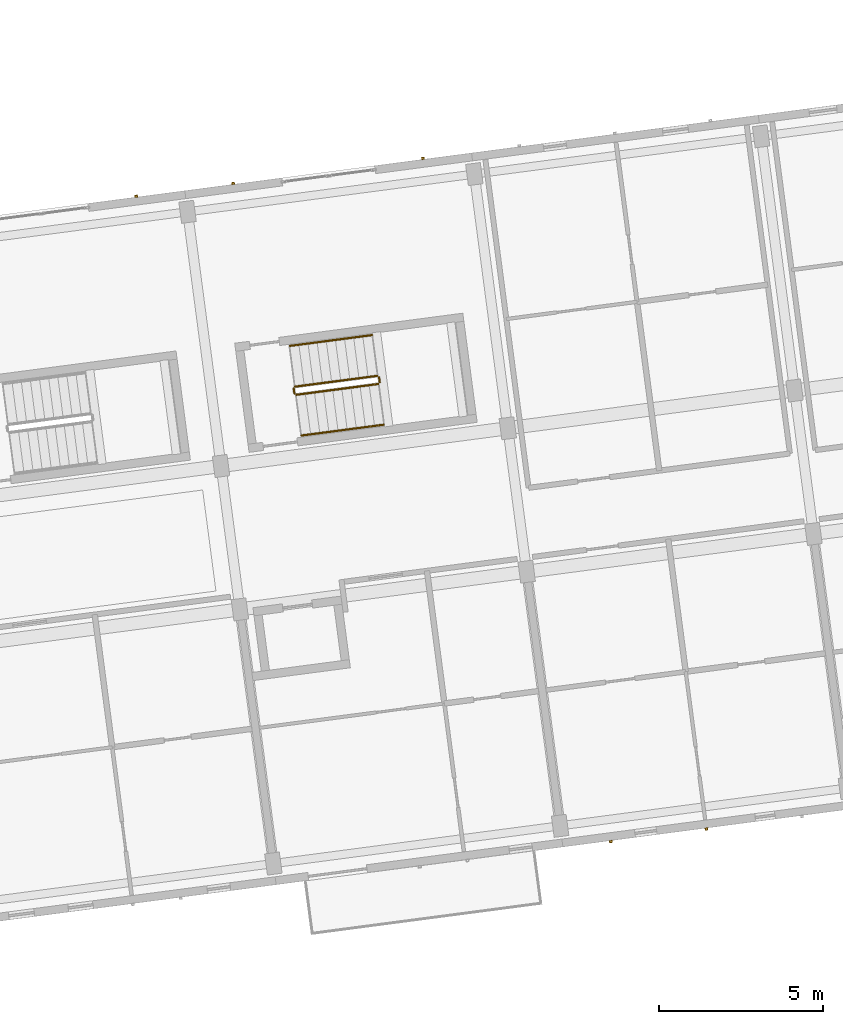
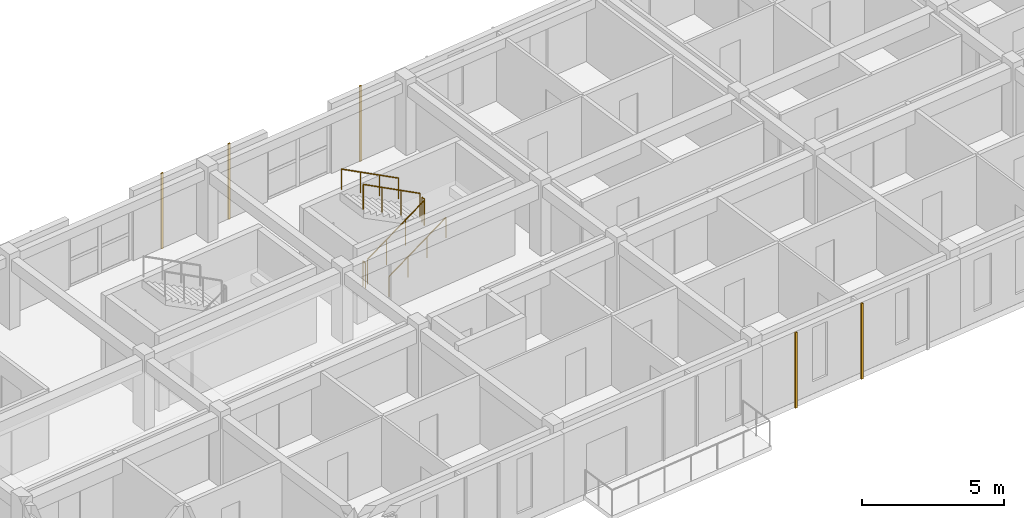
# One storey, part 39 of 56: 6 railings, 5 coverings.
"""IFC4 building model written with IfcOpenShell, lengths in metres."""

from ifc_helpers import new_model, si_unit, direction, frame, origin, origin_2d, place, context, subcontext, project, spatial, rectangle, circle, extrude, material, layer, layer_set, type_object, element, save


model = new_model("IFC4")

# Units and contexts
model_context = context("Model", 3, precision=1e-05, world=origin(), true_north=direction((0.0, 1.0)))
body_context = subcontext(model_context, "Body", "Model", "MODEL_VIEW")
ifc_project = project(units=[si_unit("LENGTHUNIT", "METRE"), si_unit("AREAUNIT", "SQUARE_METRE"), si_unit("VOLUMEUNIT", "CUBIC_METRE"), si_unit("PLANEANGLEUNIT", "RADIAN"), si_unit("MASSUNIT", "GRAM", prefix="KILO")], contexts=[model_context])

# Site, building, storey
site_placement = place(None, origin())
site = spatial("IfcSite", under=ifc_project, at=site_placement, CompositionType="ELEMENT")
building_placement = place(site_placement, origin())
building = spatial("IfcBuilding", under=site, at=building_placement, Name="Kestramere Prow Commons", CompositionType="ELEMENT")
storey_placement = place(building_placement, frame((0.0, 0.0, 27.89990234375)))
storey = spatial("IfcBuildingStorey", under=building, at=storey_placement, Name="L08", CompositionType="ELEMENT", Elevation=27.89990234375)

# Coverings
ifc_material_1 = material(Name="Weathered Zinc-Titanium Standing-Seam Cladding")
ifc_layer = layer(ifc_material_1, 0.074951171875)
ifc_layer_set = layer_set([ifc_layer], Name="Weathered Zinc-Titanium Standing-Seam Cladding")
covering_type = type_object("IfcCoveringType", Name="COV-CLAD-SEAM", PredefinedType="CLADDING", material=ifc_layer_set)
for number, where, z_axis, x_axis, name in (
    (1, (41.824951171875, 75.348388671875, -0.25), (0.0, 0.0, 1.0), (-0.991444861374, -0.13052619222, 0.0), "EW-A-L08-S-3 Standing-Seam Rib 3"),
    (2, (38.916748046875, 74.965576171875, -0.25), (0.0, 0.0, 1.0), (-0.991444861374, -0.13052619222, 0.0), "EW-A-L08-S-3 Standing-Seam Rib 5"),
    (3, (24.4755859375, 94.603759765625, -0.25), (0.0, 0.0, 1.0), (0.991444861374, 0.13052619222, 0.0), "EW-A-L08-NP-1-R Standing-Seam Rib 1"),
    (4, (27.42529296875, 94.991943359375, -0.25), (0.0, 0.0, 1.0), (0.991444861374, 0.13052619222, 0.0), "EW-A-L08-NP-2-L Standing-Seam Rib 1"),
    (5, (33.200439453125, 95.75244140625, -0.25), (0.0, 0.0, 1.0), (0.991444861374, 0.13052619222, 0.0), "EW-A-L08-NP-2-R Standing-Seam Rib 1"),
):
    element("IfcCovering", number, at=place(storey_placement, frame(where, z_axis=z_axis, x_axis=x_axis)), inside=storey, type_object=covering_type, Name=name, PredefinedType="CLADDING", context=body_context, shape_type="SweptSolid", body=[
        extrude(rectangle(XDim=0.0849609375, YDim=0.06494140625, at=origin_2d()), origin(), (0.0, 0.0, 1.0), 3.25),
    ])

# Railings
ifc_material_2 = material(Name="Galvanised Steel S275JR", Category="steel")
railing_type_1 = type_object("IfcRailingType", Name="RL-ST-GR-1100", PredefinedType="GUARDRAIL", material=ifc_material_2)
railing_1_placement = place(storey_placement, frame((29.34375, 88.559814453125, 0.16259765625)))
element("IfcRailing", 6, at=railing_1_placement, inside=storey, type_object=railing_type_1, Name="L08 ST-A2 stair guard 1", PredefinedType="GUARDRAIL", context=body_context, shape_type="SweptSolid", body=[
    extrude(circle(Radius=0.02392578125, at=origin_2d()), frame((0.0, 0.0, 1.076171875), z_axis=(0.857492745196, 0.112958098361, 0.501942885148), x_axis=(-0.130602379397, 0.991434828164, 0.0)), (0.0, 0.0, 1.0), 2.91357421875),
    extrude(circle(Radius=0.02099609375, at=origin_2d()), origin(), (0.0, 0.0, 1.0), 1.052001953125),
    extrude(circle(Radius=0.02099609375, at=origin_2d()), frame((0.832763671875, 0.109619140625, 0.487548828125)), (0.0, 0.0, 1.0), 1.052001953125),
    extrude(circle(Radius=0.02099609375, at=origin_2d()), frame((1.66552734375, 0.219482421875, 0.974853515625)), (0.0, 0.0, 1.0), 1.052001953125),
    extrude(circle(Radius=0.02099609375, at=origin_2d()), frame((2.498291015625, 0.3291015625, 1.46240234375)), (0.0, 0.0, 1.0), 1.052001953125),
])
railing_2_placement = place(storey_placement, frame((31.88525390625, 88.94482421875, 1.625)))
element("IfcRailing", 7, at=railing_2_placement, inside=storey, type_object=railing_type_1, Name="L08 ST-A2 stair guard 2", PredefinedType="GUARDRAIL", context=body_context, shape_type="SweptSolid", body=[
    extrude(circle(Radius=0.02392578125, at=origin_2d()), frame((0.0, 0.0, 1.076171875), z_axis=(-0.1300340368, 0.991509530601, 0.0), x_axis=(-0.991509530601, -0.1300340368, 0.0)), (0.0, 0.0, 1.0), 0.150146484375),
    extrude(circle(Radius=0.02099609375, at=origin_2d()), origin(), (0.0, 0.0, 1.0), 1.052001953125),
    extrude(circle(Radius=0.02099609375, at=origin_2d()), frame((-0.01953125, 0.14892578125, 0.0)), (0.0, 0.0, 1.0), 1.052001953125),
])
railing_3_placement = place(storey_placement, frame((31.8095703125, 89.13671875, 1.78759765625)))
element("IfcRailing", 8, at=railing_3_placement, inside=storey, type_object=railing_type_1, Name="L08 ST-A2 stair guard 3", PredefinedType="GUARDRAIL", context=body_context, shape_type="SweptSolid", body=[
    extrude(circle(Radius=0.02392578125, at=origin_2d()), frame((0.0, 0.0, 1.076171875), z_axis=(-0.85752303711, -0.112867259233, 0.501911568525), x_axis=(0.130494608992, -0.991449018873, 0.0)), (0.0, 0.0, 1.0), 2.91357421875),
    extrude(circle(Radius=0.02099609375, at=origin_2d()), origin(), (0.0, 0.0, 1.0), 1.052001953125),
    extrude(circle(Radius=0.02099609375, at=origin_2d()), frame((-0.832763671875, -0.109619140625, 0.487548828125)), (0.0, 0.0, 1.0), 1.052001953125),
    extrude(circle(Radius=0.02099609375, at=origin_2d()), frame((-1.665771484375, -0.21923828125, 0.974853515625)), (0.0, 0.0, 1.0), 1.052001953125),
    extrude(circle(Radius=0.02099609375, at=origin_2d()), frame((-2.49853515625, -0.328857421875, 1.46240234375)), (0.0, 0.0, 1.0), 1.052001953125),
])
railing_4_placement = place(storey_placement, frame((29.28759765625, 88.60302734375, 0.0)))
element("IfcRailing", 9, at=railing_4_placement, inside=storey, type_object=railing_type_1, Name="L08 ST-A2 stair guard 4", PredefinedType="GUARDRAIL", context=body_context, shape_type="SweptSolid", body=[
    extrude(circle(Radius=0.02392578125, at=origin_2d()), frame((0.0, 0.0, 1.076171875), z_axis=(-0.130243938252, 0.991481979941, 0.0), x_axis=(-0.991481979941, -0.130243938252, 0.0)), (0.0, 0.0, 1.0), 0.14990234375),
    extrude(circle(Radius=0.02099609375, at=origin_2d()), origin(), (0.0, 0.0, 1.0), 1.052001953125),
    extrude(circle(Radius=0.02099609375, at=origin_2d()), frame((-0.01953125, 0.148681640625, 0.0)), (0.0, 0.0, 1.0), 1.052001953125),
])
ifc_material_3 = material(Name="Stainless Steel 304", Category="steel")
railing_type_2 = type_object("IfcRailingType", Name="RL-ST-HR-900", PredefinedType="HANDRAIL", material=ifc_material_3)
railing_5_placement = place(storey_placement, frame((29.5068359375, 87.320556640625, 0.3251953125)))
element("IfcRailing", 10, at=railing_5_placement, inside=storey, type_object=railing_type_2, Name="L08 ST-A2 stair handrail 1", PredefinedType="HANDRAIL", context=body_context, shape_type="SweptSolid", body=[
    extrude(circle(Radius=0.02392578125, at=origin_2d()), frame((0.0, 0.0, 0.8759765625), z_axis=(0.85752303711, 0.112867259233, 0.501911568525), x_axis=(-0.130494608992, 0.991449018873, 0.0)), (0.0, 0.0, 1.0), 2.91357421875),
    extrude(circle(Radius=0.02099609375, at=origin_2d()), origin(), (0.0, 0.0, 1.0), 0.851806640625),
    extrude(circle(Radius=0.02099609375, at=origin_2d()), frame((0.832763671875, 0.109619140625, 0.487548828125)), (0.0, 0.0, 1.0), 0.851806640625),
    extrude(circle(Radius=0.02099609375, at=origin_2d()), frame((1.665771484375, 0.21923828125, 0.974853515625)), (0.0, 0.0, 1.0), 0.851806640625),
    extrude(circle(Radius=0.02099609375, at=origin_2d()), frame((2.49853515625, 0.328857421875, 1.46240234375)), (0.0, 0.0, 1.0), 0.851806640625),
])
railing_6_placement = place(storey_placement, frame((31.646484375, 90.3759765625, 1.9501953125)))
element("IfcRailing", 11, at=railing_6_placement, inside=storey, type_object=railing_type_2, Name="L08 ST-A2 stair handrail 2", PredefinedType="HANDRAIL", context=body_context, shape_type="SweptSolid", body=[
    extrude(circle(Radius=0.02392578125, at=origin_2d()), frame((0.0, 0.0, 0.8759765625), z_axis=(-0.85752303711, -0.112867259233, 0.501911568525), x_axis=(0.130494608992, -0.991449018873, 0.0)), (0.0, 0.0, 1.0), 2.91357421875),
    extrude(circle(Radius=0.02099609375, at=origin_2d()), origin(), (0.0, 0.0, 1.0), 0.851806640625),
    extrude(circle(Radius=0.02099609375, at=origin_2d()), frame((-0.832763671875, -0.109619140625, 0.487548828125)), (0.0, 0.0, 1.0), 0.851806640625),
    extrude(circle(Radius=0.02099609375, at=origin_2d()), frame((-1.665771484375, -0.21923828125, 0.974853515625)), (0.0, 0.0, 1.0), 0.851806640625),
    extrude(circle(Radius=0.02099609375, at=origin_2d()), frame((-2.49853515625, -0.328857421875, 1.46240234375)), (0.0, 0.0, 1.0), 0.851806640625),
])

save(model, "model.ifc")
